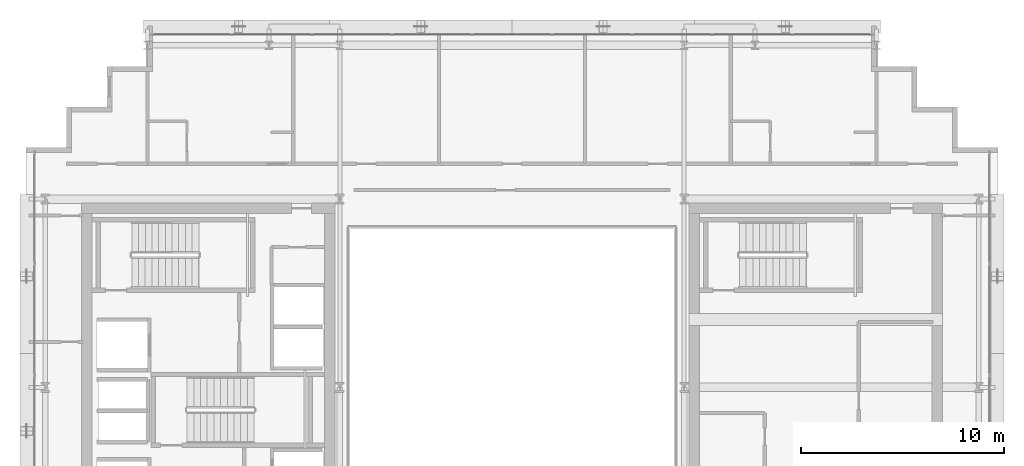
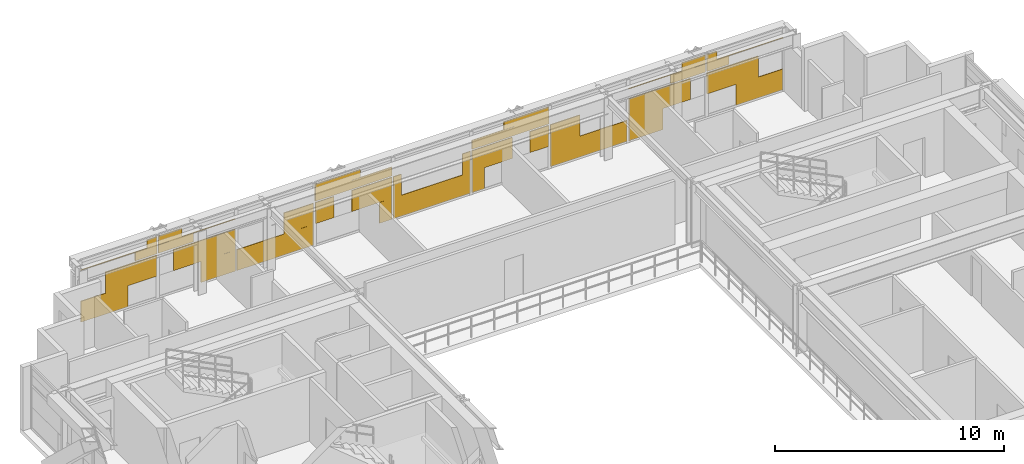
# One storey, part 30 of 30: 1 covering.
"""IFC4 building model written with IfcOpenShell, lengths in metres."""

import ifcopenshell
import ifcopenshell.guid

model = None  # the IFC model being written
_history = None  # IfcOwnerHistory: only IFC2X3 demands one
_inside = {}  # id of a spatial element -> (the spatial element, [elements in it])
_under = {}  # id of a project, library or spatial element -> (it, [spatial elements below it])
_declared = {}  # id of a project -> (the project, [libraries it declares])
_typed = {}  # id of a type object -> (the type object, [elements of that type])
_made_of = {}  # id of a material, layer set ... -> (it, [elements and type objects made of it])


def new_model(schema):
    """Start an empty IFC model of exactly this schema.

    Asked for "IFC4X3", IfcOpenShell would pick the latest addendum, in which some entities
    have other attributes; the version numbers below select the first issue.
    IFC2X3 requires an IfcOwnerHistory on every rooted entity: one is made here for all.
    """
    global model, _history
    if schema == "IFC4X3":
        model = ifcopenshell.file(schema_version=(4, 3, 0, 0))
    else:
        model = ifcopenshell.file(schema=schema)
    _inside.clear()
    _under.clear()
    _declared.clear()
    _typed.clear()
    _made_of.clear()
    _history = None
    if model.schema == "IFC2X3":
        org = make("IfcOrganization", Name="unknown")
        user = make(
            "IfcPersonAndOrganization",
            ThePerson=make("IfcPerson", FamilyName="unknown"),
            TheOrganization=org,
        )
        app = make(
            "IfcApplication",
            ApplicationDeveloper=org,
            Version="unknown",
            ApplicationFullName="unknown",
            ApplicationIdentifier="unknown",
        )
        _history = make(
            "IfcOwnerHistory",
            OwningUser=user,
            OwningApplication=app,
            ChangeAction="ADDED",
            CreationDate=0,
        )
    return model


def make(cls, **values):
    """One entity of the class cls with the attributes given. An attribute that is None is left unset."""
    return model.create_entity(
        cls, **{name: value for name, value in values.items() if value is not None}
    )


def rooted(cls, **values):
    """An entity with a GlobalId (a new one), such as an element, a storey or a relation."""
    return make(cls, GlobalId=ifcopenshell.guid.new(), OwnerHistory=_history, **values)


def si_unit(unit_type, name, prefix=None):
    """IfcSIUnit, for example si_unit("LENGTHUNIT", "METRE", prefix="MILLI")."""
    return make("IfcSIUnit", UnitType=unit_type, Prefix=prefix, Name=name)


def assignment(units):
    """IfcUnitAssignment: the units of a project."""
    return None if units is None else make("IfcUnitAssignment", Units=units)


def point(xyz):
    """IfcCartesianPoint."""
    return None if xyz is None else make("IfcCartesianPoint", Coordinates=xyz)


def direction(xyz):
    """IfcDirection."""
    return None if xyz is None else make("IfcDirection", DirectionRatios=xyz)


def frame(location, z_axis=None, x_axis=None):
    """IfcAxis2Placement3D, a coordinate frame: its origin and axes. An axis left out is left unset."""
    return make(
        "IfcAxis2Placement3D",
        Location=point(location),
        Axis=direction(z_axis),
        RefDirection=direction(x_axis),
    )


def frame_2d(location, x_axis=None):
    """IfcAxis2Placement2D, a coordinate frame in the plane: its origin and x axis."""
    return make(
        "IfcAxis2Placement2D", Location=point(location), RefDirection=direction(x_axis)
    )


def origin():
    """The frame at (0, 0, 0) with its axes left unset."""
    return frame((0.0, 0.0, 0.0))


def origin_2d():
    """The frame at (0, 0) in the plane with its x axis left unset."""
    return frame_2d((0.0, 0.0))


def place(relative_to, where):
    """IfcLocalPlacement: puts the frame where relative to a parent placement (None: the world)."""
    return make(
        "IfcLocalPlacement", PlacementRelTo=relative_to, RelativePlacement=where
    )


def context(
    kind, dimensions, precision=None, world=None, true_north=None, identifier=None
):
    """IfcGeometricRepresentationContext, for example the 3D "Model" context."""
    return make(
        "IfcGeometricRepresentationContext",
        ContextIdentifier=identifier,
        ContextType=kind,
        CoordinateSpaceDimension=dimensions,
        Precision=precision,
        WorldCoordinateSystem=world,
        TrueNorth=true_north,
    )


def subcontext(parent, identifier, kind, view, scale=None):
    """IfcGeometricRepresentationSubContext, for example "Body" below "Model"."""
    return make(
        "IfcGeometricRepresentationSubContext",
        ContextIdentifier=identifier,
        ContextType=kind,
        ParentContext=parent,
        TargetScale=scale,
        TargetView=view,
    )


def project(units=None, contexts=None):
    """IfcProject with its units and contexts."""
    return rooted(
        "IfcProject",
        Name="project",
        RepresentationContexts=contexts,
        UnitsInContext=assignment(units),
    )


def spatial(cls, under=None, at=None, **own):
    """A site, building, storey or space (cls), placed at a placement, below another one or the project."""
    s = rooted(cls, ObjectPlacement=at, **own)
    if under is not None:
        _under.setdefault(under.id(), (under, []))[1].append(s)
    return s


def profile(cls, at=None, kind="AREA", **sizes):
    """A parametric profile (cls). Its sizes go by their IFC names, for example OverallWidth=200.0."""
    return make(cls, ProfileType=kind, Position=at, **sizes)


def rectangle(**sizes):
    """IfcRectangleProfileDef."""
    return profile("IfcRectangleProfileDef", **sizes)


def extrude(swept, where, along, depth):
    """IfcExtrudedAreaSolid: the profile swept, set in the frame where, extruded along a direction by depth."""
    return make(
        "IfcExtrudedAreaSolid",
        SweptArea=swept,
        Position=where,
        ExtrudedDirection=direction(along),
        Depth=depth,
    )


def shape(context_of_items, identifier, shape_type, items):
    """IfcShapeRepresentation: the items that make up one representation, for example the "Body"."""
    return make(
        "IfcShapeRepresentation",
        ContextOfItems=context_of_items,
        RepresentationIdentifier=identifier,
        RepresentationType=shape_type,
        Items=items,
    )


def material(Name=None, Category=None):
    """IfcMaterial."""
    return make("IfcMaterial", Name=Name, Category=Category)


def layer(
    of_material, thickness, ventilated=None, Name=None, Category=None, Priority=None
):
    """IfcMaterialLayer: one layer of a wall or slab, of a material (None: an air gap)."""
    return make(
        "IfcMaterialLayer",
        Material=of_material,
        LayerThickness=thickness,
        IsVentilated=ventilated,
        Name=Name,
        Category=Category,
        Priority=Priority,
    )


def layer_set(layers, Name=None):
    """IfcMaterialLayerSet."""
    return make("IfcMaterialLayerSet", MaterialLayers=layers, LayerSetName=Name)


def made_of(thing, what):
    """Note that an element or type object is made of a material, layer set ...; save() writes the relation."""
    if what is not None:
        _made_of.setdefault(what.id(), (what, []))[1].append(thing)
    return thing


def type_object(cls, material=None, **own):
    """A type object (cls), such as IfcWallType, which elements share."""
    return made_of(rooted(cls, **own), material)


def element(
    cls,
    number,
    at=None,
    inside=None,
    cuts=None,
    type_object=None,
    material=None,
    context=None,
    identifier="Body",
    shape_type=None,
    held_by="IfcProductDefinitionShape",
    body=None,
    shapes=None,
    **own,
):
    """One element of the class cls, such as IfcWall. Its Tag is "e" and its number.

    at: its placement. inside: the storey or other place that contains it. cuts: it is an
    opening in that element (IfcRelVoidsElement). A single representation is given by context,
    identifier, shape_type and body (its items); several are given by shapes. held_by: the class
    of the entity that holds the representations. save() writes the other relations.
    """
    e = rooted(cls, Tag="e%d" % number, ObjectPlacement=at, **own)
    if body is not None:
        shapes = [shape(context, identifier, shape_type, body)]
    if shapes is not None:
        e.Representation = make(held_by, Representations=shapes)
    if inside is not None:
        _inside.setdefault(inside.id(), (inside, []))[1].append(e)
    if cuts is not None:
        rooted(
            "IfcRelVoidsElement", RelatingBuildingElement=cuts, RelatedOpeningElement=e
        )
    if type_object is not None:
        _typed.setdefault(type_object.id(), (type_object, []))[1].append(e)
    return made_of(e, material)


def aggregate(whole, parts):
    """IfcRelAggregates: a whole, such as a stair, and the parts it consists of."""
    return rooted("IfcRelAggregates", RelatingObject=whole, RelatedObjects=parts)


def save(model, path):
    """Write the relations noted so far, then the file.

    IfcRelAggregates (storeys below a building ...), IfcRelContainedInSpatialStructure (elements
    in a storey), IfcRelDefinesByType, IfcRelAssociatesMaterial and IfcRelDeclares: one each for
    every whole, place, type object, material and project.
    """
    for whole, parts in _under.values():
        aggregate(whole, parts)
    for where, things in _inside.values():
        rooted(
            "IfcRelContainedInSpatialStructure",
            RelatedElements=things,
            RelatingStructure=where,
        )
    for kind, things in _typed.values():
        rooted("IfcRelDefinesByType", RelatedObjects=things, RelatingType=kind)
    for what, things in _made_of.values():
        rooted("IfcRelAssociatesMaterial", RelatedObjects=things, RelatingMaterial=what)
    for by, libraries in _declared.values():
        rooted("IfcRelDeclares", RelatingContext=by, RelatedDefinitions=libraries)
    model.write(path)


model = new_model("IFC4")

# Units and contexts
model_context = context("Model", 3, precision=1e-05, world=origin(), true_north=direction((0.0, 1.0)))
body_context = subcontext(model_context, "Body", "Model", "MODEL_VIEW")
ifc_project = project(units=[si_unit("LENGTHUNIT", "METRE"), si_unit("AREAUNIT", "SQUARE_METRE"), si_unit("VOLUMEUNIT", "CUBIC_METRE"), si_unit("PLANEANGLEUNIT", "RADIAN"), si_unit("MASSUNIT", "GRAM", prefix="KILO")], contexts=[model_context])

# Site, building, storey
site_placement = place(None, origin())
site = spatial("IfcSite", under=ifc_project, at=site_placement, CompositionType="ELEMENT")
building_placement = place(site_placement, origin())
building = spatial("IfcBuilding", under=site, at=building_placement, Name="Ocotamira Hotel", CompositionType="ELEMENT")
storey_placement = place(building_placement, frame((0.0, 0.0, 195.60009765625)))
storey = spatial("IfcBuildingStorey", under=building, at=storey_placement, Name="L49", CompositionType="ELEMENT", Elevation=195.60009765625)

# Covering
ifc_material = material(Name="Insulated pale-metal aluminium spandrel panel", Category="aluminium")
ifc_layer = layer(ifc_material, 0.044921875)
ifc_layer_set = layer_set([ifc_layer], Name="Insulated pale-metal aluminium spandrel panel")
covering_type = type_object("IfcCoveringType", Name="COV-INFILL-45", PredefinedType="CLADDING", material=ifc_layer_set)
covering_placement = place(storey_placement, origin())
element("IfcCovering", 1, at=covering_placement, inside=storey, type_object=covering_type, Name="L49 Curtain Wall Infill CW-4 CW-L49-N", PredefinedType="CLADDING", context=body_context, shape_type="SweptSolid", body=[
    extrude(rectangle(XDim=2.37158203125, YDim=0.044921875, at=origin_2d()), frame((15.46630859375, 45.580078125, 0.075439453125), z_axis=(0.0, 0.0, 1.0), x_axis=(1.0, 0.0, 0.0)), (0.0, 0.0, 1.0), 1.11767578125),
    extrude(rectangle(XDim=2.58251953125, YDim=0.044921875, at=origin_2d()), frame((16.82373046875, 45.580078125, 1.19384765625), z_axis=(0.0, 0.0, 1.0), x_axis=(1.0, 0.0, 0.0)), (0.0, 0.0, 1.0), 1.117919921875),
    extrude(rectangle(XDim=3.834716796875, YDim=0.044921875, at=origin_2d()), frame((16.19775390625, 45.580078125, 2.83154296875), z_axis=(0.0, 0.0, 1.0), x_axis=(1.0, 0.0, 0.0)), (0.0, 0.0, 1.0), 0.0302734375),
    extrude(rectangle(XDim=1.090576171875, YDim=0.044921875, at=origin_2d()), frame((17.56982421875, 45.580078125, 2.3876953125), z_axis=(0.0, 0.0, 1.0), x_axis=(1.0, 0.0, 0.0)), (0.0, 0.0, 1.0), 0.442626953125),
    extrude(rectangle(XDim=0.496826171875, YDim=0.044921875, at=origin_2d()), frame((17.86669921875, 45.580078125, 2.86279296875), z_axis=(0.0, 0.0, 1.0), x_axis=(1.0, 0.0, 0.0)), (0.0, 0.0, 1.0), 0.431640625),
    extrude(rectangle(XDim=3.12109375, YDim=0.044921875, at=origin_2d()), frame((20.510009765625, 45.580078125, 1.19384765625), z_axis=(0.0, 0.0, 1.0), x_axis=(1.0, 0.0, 0.0)), (0.0, 0.0, 1.0), 1.117919921875),
    extrude(rectangle(XDim=1.72265625, YDim=0.044921875, at=origin_2d()), frame((21.209228515625, 45.580078125, 0.075439453125), z_axis=(0.0, 0.0, 1.0), x_axis=(1.0, 0.0, 0.0)), (0.0, 0.0, 1.0), 1.11767578125),
    extrude(rectangle(XDim=1.779296875, YDim=0.044921875, at=origin_2d()), frame((19.085693359375, 45.580078125, 2.3876953125), z_axis=(0.0, 0.0, 1.0), x_axis=(1.0, 0.0, 0.0)), (0.0, 0.0, 1.0), 0.442626953125),
    extrude(rectangle(XDim=3.87451171875, YDim=0.044921875, at=origin_2d()), frame((20.13330078125, 45.580078125, 2.83154296875), z_axis=(0.0, 0.0, 1.0), x_axis=(1.0, 0.0, 0.0)), (0.0, 0.0, 1.0), 0.0302734375),
    extrude(rectangle(XDim=1.185791015625, YDim=0.044921875, at=origin_2d()), frame((18.7890625, 45.580078125, 2.86279296875), z_axis=(0.0, 0.0, 1.0), x_axis=(1.0, 0.0, 0.0)), (0.0, 0.0, 1.0), 0.431640625),
    extrude(rectangle(XDim=3.87451171875, YDim=0.044921875, at=origin_2d()), frame((24.0888671875, 45.580078125, 0.075439453125), z_axis=(0.0, 0.0, 1.0), x_axis=(1.0, 0.0, 0.0)), (0.0, 0.0, 1.0), 1.11767578125),
    extrude(rectangle(XDim=1.493896484375, YDim=0.044921875, at=origin_2d()), frame((25.279296875, 45.580078125, 1.19384765625), z_axis=(0.0, 0.0, 1.0), x_axis=(1.0, 0.0, 0.0)), (0.0, 0.0, 1.0), 1.117919921875),
    extrude(rectangle(XDim=0.943115234375, YDim=0.044921875, at=origin_2d()), frame((26.578857421875, 45.580078125, 1.19384765625), z_axis=(0.0, 0.0, 1.0), x_axis=(1.0, 0.0, 0.0)), (0.0, 0.0, 1.0), 1.117919921875),
    extrude(rectangle(XDim=2.031982421875, YDim=0.044921875, at=origin_2d()), frame((28.9658203125, 45.580078125, 1.19384765625), z_axis=(0.0, 0.0, 1.0), x_axis=(1.0, 0.0, 0.0)), (0.0, 0.0, 1.0), 1.117919921875),
    extrude(rectangle(XDim=0.6337890625, YDim=0.044921875, at=origin_2d()), frame((29.664794921875, 45.580078125, 0.075439453125), z_axis=(0.0, 0.0, 1.0), x_axis=(1.0, 0.0, 0.0)), (0.0, 0.0, 1.0), 1.11767578125),
    extrude(rectangle(XDim=3.87451171875, YDim=0.044921875, at=origin_2d()), frame((28.04443359375, 45.580078125, 2.3876953125), z_axis=(0.0, 0.0, 1.0), x_axis=(1.0, 0.0, 0.0)), (0.0, 0.0, 1.0), 0.473876953125),
    extrude(rectangle(XDim=2.274658203125, YDim=0.044921875, at=origin_2d()), frame((27.244384765625, 45.580078125, 2.86279296875), z_axis=(0.0, 0.0, 1.0), x_axis=(1.0, 0.0, 0.0)), (0.0, 0.0, 1.0), 0.431640625),
    extrude(rectangle(XDim=3.87451171875, YDim=0.044921875, at=origin_2d()), frame((32.0, 45.580078125, 0.075439453125), z_axis=(0.0, 0.0, 1.0), x_axis=(1.0, 0.0, 0.0)), (0.0, 0.0, 1.0), 1.11767578125),
    extrude(rectangle(XDim=0.40478515625, YDim=0.044921875, at=origin_2d()), frame((30.26513671875, 45.580078125, 1.19384765625), z_axis=(0.0, 0.0, 1.0), x_axis=(1.0, 0.0, 0.0)), (0.0, 0.0, 1.0), 1.117919921875),
    extrude(rectangle(XDim=0.40478515625, YDim=0.044921875, at=origin_2d()), frame((33.73486328125, 45.580078125, 1.19384765625), z_axis=(0.0, 0.0, 1.0), x_axis=(1.0, 0.0, 0.0)), (0.0, 0.0, 1.0), 1.117919921875),
    extrude(rectangle(XDim=0.6337890625, YDim=0.044921875, at=origin_2d()), frame((34.335205078125, 45.580078125, 0.075439453125), z_axis=(0.0, 0.0, 1.0), x_axis=(1.0, 0.0, 0.0)), (0.0, 0.0, 1.0), 1.11767578125),
    extrude(rectangle(XDim=2.031982421875, YDim=0.044921875, at=origin_2d()), frame((35.0341796875, 45.580078125, 1.19384765625), z_axis=(0.0, 0.0, 1.0), x_axis=(1.0, 0.0, 0.0)), (0.0, 0.0, 1.0), 1.117919921875),
    extrude(rectangle(XDim=0.943115234375, YDim=0.044921875, at=origin_2d()), frame((37.421142578125, 45.580078125, 1.19384765625), z_axis=(0.0, 0.0, 1.0), x_axis=(1.0, 0.0, 0.0)), (0.0, 0.0, 1.0), 1.117919921875),
    extrude(rectangle(XDim=3.87451171875, YDim=0.044921875, at=origin_2d()), frame((35.95556640625, 45.580078125, 2.3876953125), z_axis=(0.0, 0.0, 1.0), x_axis=(1.0, 0.0, 0.0)), (0.0, 0.0, 1.0), 0.473876953125),
    extrude(rectangle(XDim=2.274658203125, YDim=0.044921875, at=origin_2d()), frame((36.755615234375, 45.580078125, 2.86279296875), z_axis=(0.0, 0.0, 1.0), x_axis=(1.0, 0.0, 0.0)), (0.0, 0.0, 1.0), 0.431640625),
    extrude(rectangle(XDim=3.87451171875, YDim=0.044921875, at=origin_2d()), frame((39.9111328125, 45.580078125, 0.075439453125), z_axis=(0.0, 0.0, 1.0), x_axis=(1.0, 0.0, 0.0)), (0.0, 0.0, 1.0), 1.11767578125),
    extrude(rectangle(XDim=1.493896484375, YDim=0.044921875, at=origin_2d()), frame((38.720703125, 45.580078125, 1.19384765625), z_axis=(0.0, 0.0, 1.0), x_axis=(1.0, 0.0, 0.0)), (0.0, 0.0, 1.0), 1.117919921875),
    extrude(rectangle(XDim=1.72265625, YDim=0.044921875, at=origin_2d()), frame((42.790771484375, 45.580078125, 0.075439453125), z_axis=(0.0, 0.0, 1.0), x_axis=(1.0, 0.0, 0.0)), (0.0, 0.0, 1.0), 1.11767578125),
    extrude(rectangle(XDim=3.12109375, YDim=0.044921875, at=origin_2d()), frame((43.489990234375, 45.580078125, 1.19384765625), z_axis=(0.0, 0.0, 1.0), x_axis=(1.0, 0.0, 0.0)), (0.0, 0.0, 1.0), 1.117919921875),
    extrude(rectangle(XDim=3.87451171875, YDim=0.044921875, at=origin_2d()), frame((43.86669921875, 45.580078125, 2.83154296875), z_axis=(0.0, 0.0, 1.0), x_axis=(1.0, 0.0, 0.0)), (0.0, 0.0, 1.0), 0.0302734375),
    extrude(rectangle(XDim=1.779296875, YDim=0.044921875, at=origin_2d()), frame((44.914306640625, 45.580078125, 2.3876953125), z_axis=(0.0, 0.0, 1.0), x_axis=(1.0, 0.0, 0.0)), (0.0, 0.0, 1.0), 0.442626953125),
    extrude(rectangle(XDim=1.185791015625, YDim=0.044921875, at=origin_2d()), frame((45.2109375, 45.580078125, 2.86279296875), z_axis=(0.0, 0.0, 1.0), x_axis=(1.0, 0.0, 0.0)), (0.0, 0.0, 1.0), 0.431640625),
    extrude(rectangle(XDim=2.58251953125, YDim=0.044921875, at=origin_2d()), frame((47.17626953125, 45.580078125, 1.19384765625), z_axis=(0.0, 0.0, 1.0), x_axis=(1.0, 0.0, 0.0)), (0.0, 0.0, 1.0), 1.117919921875),
    extrude(rectangle(XDim=2.37158203125, YDim=0.044921875, at=origin_2d()), frame((48.53369140625, 45.580078125, 0.075439453125), z_axis=(0.0, 0.0, 1.0), x_axis=(1.0, 0.0, 0.0)), (0.0, 0.0, 1.0), 1.11767578125),
    extrude(rectangle(XDim=1.090576171875, YDim=0.044921875, at=origin_2d()), frame((46.43017578125, 45.580078125, 2.3876953125), z_axis=(0.0, 0.0, 1.0), x_axis=(1.0, 0.0, 0.0)), (0.0, 0.0, 1.0), 0.442626953125),
    extrude(rectangle(XDim=3.834716796875, YDim=0.044921875, at=origin_2d()), frame((47.80224609375, 45.580078125, 2.83154296875), z_axis=(0.0, 0.0, 1.0), x_axis=(1.0, 0.0, 0.0)), (0.0, 0.0, 1.0), 0.0302734375),
    extrude(rectangle(XDim=0.496826171875, YDim=0.044921875, at=origin_2d()), frame((46.13330078125, 45.580078125, 2.86279296875), z_axis=(0.0, 0.0, 1.0), x_axis=(1.0, 0.0, 0.0)), (0.0, 0.0, 1.0), 0.431640625),
])

save(model, "model.ifc")
